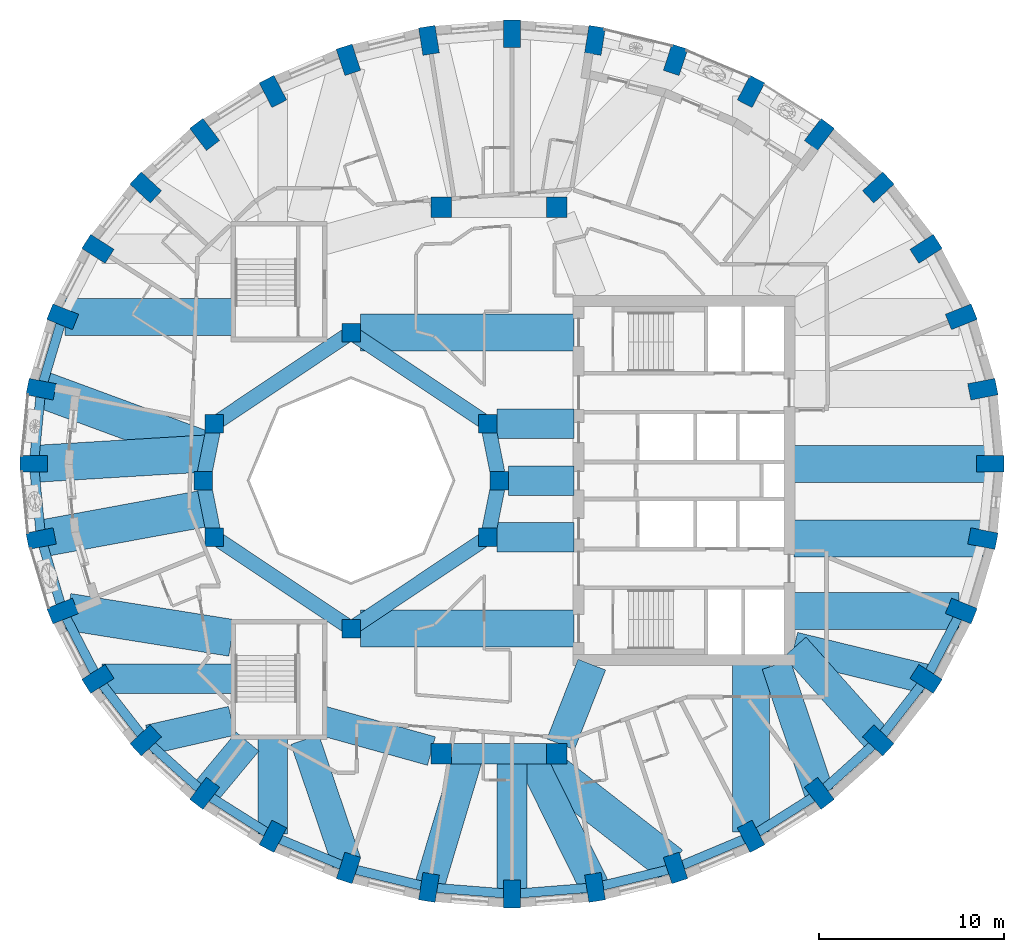
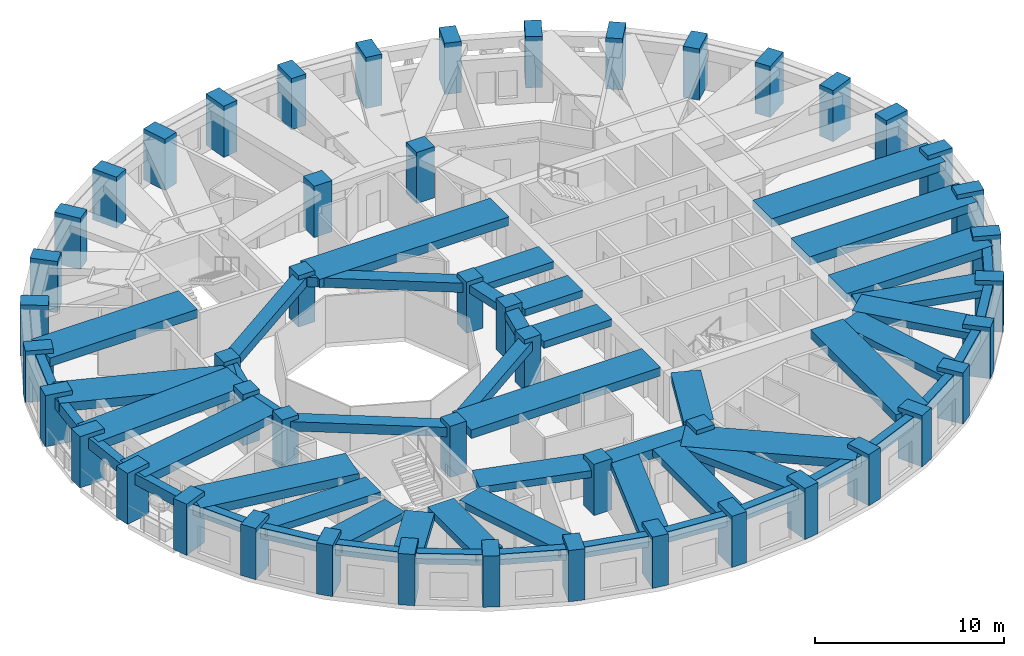
# One storey, part 1 of 12: 55 beams, 48 columns.
"""IFC4 building model written with IfcOpenShell, lengths in metres."""

from ifc_helpers import new_model, si_unit, direction, frame, origin, origin_2d, place, context, subcontext, project, spatial, rectangle, extrude, material, material_profile, profile_set, type_object, element, save


model = new_model("IFC4")

# Units and contexts
model_context = context("Model", 3, precision=1e-05, world=origin(), true_north=direction((0.0, 1.0)))
body_context = subcontext(model_context, "Body", "Model", "MODEL_VIEW")
ifc_project = project(units=[si_unit("LENGTHUNIT", "METRE"), si_unit("AREAUNIT", "SQUARE_METRE"), si_unit("VOLUMEUNIT", "CUBIC_METRE"), si_unit("PLANEANGLEUNIT", "RADIAN"), si_unit("MASSUNIT", "GRAM", prefix="KILO")], contexts=[model_context])

# Site, building, storey
site_placement = place(None, origin())
site = spatial("IfcSite", under=ifc_project, at=site_placement, CompositionType="ELEMENT")
building_placement = place(site_placement, origin())
building = spatial("IfcBuilding", under=site, at=building_placement, Name="Taillehof Tower", CompositionType="ELEMENT")
storey_placement = place(building_placement, frame((0.0, 0.0, 192.5)))
storey = spatial("IfcBuildingStorey", under=building, at=storey_placement, Name="L54", CompositionType="ELEMENT", Elevation=192.5)

# Columns
ifc_material_1 = material(Name="Concrete C50/60", Category="concrete")
ifc_material_profile_1 = material_profile(ifc_material_1, rectangle(XDim=1.0, YDim=1.0, at=origin_2d()), Name="RC 1000x1000")
ifc_profile_set_1 = profile_set([ifc_material_profile_1], Name="Concrete C50/60")
column_type_1 = type_object("IfcColumnType", Name="Atrium ring column C50/60 1000x1000", PredefinedType="COLUMN", material=ifc_profile_set_1)
for number, where, z_axis, x_axis, name in (
    (1, (0.0, 0.0, 0.0), (0.0, 0.0, 1.0), (1.0, 0.0, 0.0), "Column AC01"),
    (2, (-0.60888671875, 3.0615234375, 0.0), (0.0, 0.0, 1.0), (1.0, 0.0, 0.0), "Column AC02"),
    (3, (-8.0, 8.0, 0.0), (0.0, 0.0, 1.0), (1.0, 0.0, 0.0), "Column AC05"),
    (4, (-15.39111328125, 3.0615234375, 0.0), (0.0, 0.0, 1.0), (1.0, 0.0, 0.0), "Column AC08"),
    (5, (-16.0, 0.0, 0.0), (0.0, 0.0, 1.0), (1.0, 0.0, 0.0), "Column AC09"),
    (6, (-15.39111328125, -3.0615234375, 0.0), (0.0, 0.0, 1.0), (1.0, 0.0, 0.0), "Column AC10"),
    (7, (-8.0, -8.0, 0.0), (0.0, 0.0, 1.0), (1.0, 0.0, 0.0), "Column AC13"),
    (8, (-0.60888671875, -3.0615234375, 0.0), (0.0, 0.0, 1.0), (1.0, 0.0, 0.0), "Column AC16"),
):
    element("IfcColumn", number, at=place(storey_placement, frame(where, z_axis=z_axis, x_axis=x_axis)), inside=storey, type_object=column_type_1, Name=name, PredefinedType="COLUMN", context=body_context, shape_type="SweptSolid", body=[
        extrude(rectangle(XDim=1.0, YDim=1.0, at=origin_2d()), origin(), (0.0, 0.0, 1.0), 3.300048828125),
    ])
ifc_material_2 = material(Name="Concrete C50/60", Category="concrete")
ifc_material_profile_2 = material_profile(ifc_material_2, rectangle(XDim=1.10009765625, YDim=1.10009765625, at=origin_2d()), Name="RC 1100x1100")
ifc_profile_set_2 = profile_set([ifc_material_profile_2], Name="Concrete C50/60")
column_type_2 = type_object("IfcColumnType", Name="Mid-ring column C50/60 1100x1100", PredefinedType="COLUMN", material=ifc_profile_set_2)
for number, where, z_axis, x_axis, name in (
    (9, (3.125732421875, 14.772216796875, 0.0), (0.0, 0.0, 1.0), (1.0, 0.0, 0.0), "Column MC05"),
    (10, (-3.125732421875, 14.772216796875, 0.0), (0.0, 0.0, 1.0), (1.0, 0.0, 0.0), "Column MC06"),
    (11, (-3.125732421875, -14.772216796875, 0.0), (0.0, 0.0, 1.0), (1.0, 0.0, 0.0), "Column MC14"),
    (12, (3.125732421875, -14.772216796875, 0.0), (0.0, 0.0, 1.0), (1.0, 0.0, 0.0), "Column MC15"),
):
    element("IfcColumn", number, at=place(storey_placement, frame(where, z_axis=z_axis, x_axis=x_axis)), inside=storey, type_object=column_type_2, Name=name, PredefinedType="COLUMN", context=body_context, shape_type="SweptSolid", body=[
        extrude(rectangle(XDim=1.10009765625, YDim=1.10009765625, at=origin_2d()), origin(), (0.0, 0.0, 1.0), 3.300048828125),
    ])
ifc_material_3 = material(Name="Concrete C60/75", Category="concrete")
ifc_material_profile_3 = material_profile(ifc_material_3, rectangle(XDim=1.5, YDim=0.89990234375, at=origin_2d()), Name="RC 1500x900")
ifc_profile_set_3 = profile_set([ifc_material_profile_3], Name="Concrete C60/75")
column_type_3 = type_object("IfcColumnType", Name="Ring column C60/75 1500x900", PredefinedType="COLUMN", material=ifc_profile_set_3)
for number, where, z_axis, x_axis, name in (
    (13, (26.550048828125, 0.89990234375, 0.0), (0.0, 0.0, 1.0), (1.0, 0.0, 0.0), "Ring column RC01"),
    (14, (26.1572265625, 4.937255859375, 0.0), (0.0, 0.0, 1.0), (0.981433894538, 0.191800705555, 0.0), "Ring column RC02"),
    (15, (24.990966796875, 8.85205078125, 0.0), (0.0, 0.0, 1.0), (0.927385290523, 0.374107635477, 0.0), "Ring column RC03"),
    (16, (23.086669921875, 12.52490234375, 0.0), (0.0, 0.0, 1.0), (0.84231094199, 0.538991908107, 0.0), "Ring column RC04"),
    (17, (20.502197265625, 15.8447265625, 0.0), (0.0, 0.0, 1.0), (0.732270888356, 0.681013469813, 0.0), "Ring column RC05"),
    (18, (17.316162109375, 18.71044921875, 0.0), (0.0, 0.0, 1.0), (0.60360770772, 0.797281465469, 0.0), "Ring column RC06"),
    (19, (13.625, 21.03515625, 0.0), (0.0, 0.0, 1.0), (0.461993199576, 0.886883466722, 0.0), "Ring column RC07"),
    (20, (9.541259765625, 22.747802734375, 0.0), (0.0, 0.0, 1.0), (0.312001306843, 0.950081672557, 0.0), "Ring column RC08"),
    (21, (5.188720703125, 23.796875, 0.0), (0.0, 0.0, 1.0), (0.157116034607, 0.987580149491, 0.0), "Ring column RC09"),
    (22, (0.699951171875, 24.14990234375, 0.0), (0.0, 0.0, 1.0), (0.0, 1.0, 0.0), "Ring column RC10"),
    (23, (-3.788818359375, 23.796875, 0.0), (0.0, 0.0, 1.0), (-0.157116034607, 0.987580149491, 0.0), "Ring column RC11"),
    (24, (-8.14111328125, 22.747802734375, 0.0), (0.0, 0.0, 1.0), (-0.312001306843, 0.950081672557, 0.0), "Ring column RC12"),
    (25, (-12.22509765625, 21.03515625, 0.0), (0.0, 0.0, 1.0), (-0.461993199576, 0.886883466722, 0.0), "Ring column RC13"),
    (26, (-15.916015625, 18.71044921875, 0.0), (0.0, 0.0, 1.0), (-0.60360770772, 0.797281465469, 0.0), "Ring column RC14"),
    (27, (-19.102294921875, 15.8447265625, 0.0), (0.0, 0.0, 1.0), (-0.732270888356, 0.681013469813, 0.0), "Ring column RC15"),
    (28, (-21.686767578125, 12.52490234375, 0.0), (0.0, 0.0, 1.0), (-0.84231094199, 0.538991908107, 0.0), "Ring column RC16"),
    (29, (-23.591064453125, 8.85205078125, 0.0), (0.0, 0.0, 1.0), (-0.927385290523, 0.374107635477, 0.0), "Ring column RC17"),
    (30, (-24.75732421875, 4.937255859375, 0.0), (0.0, 0.0, 1.0), (-0.981433894538, 0.191800705555, 0.0), "Ring column RC18"),
    (31, (-25.14990234375, 0.89990234375, 0.0), (0.0, 0.0, 1.0), (-1.0, 0.0, 0.0), "Ring column RC19"),
    (32, (-24.75732421875, -3.13720703125, 0.0), (0.0, 0.0, 1.0), (-0.981433894538, -0.191800705555, 0.0), "Ring column RC20"),
    (33, (-23.591064453125, -7.052001953125, 0.0), (0.0, 0.0, 1.0), (-0.927385290523, -0.374107635477, 0.0), "Ring column RC21"),
    (34, (-21.686767578125, -10.72509765625, 0.0), (0.0, 0.0, 1.0), (-0.84231094199, -0.538991908107, 0.0), "Ring column RC22"),
    (35, (-19.102294921875, -14.044921875, 0.0), (0.0, 0.0, 1.0), (-0.732270888356, -0.681013469813, 0.0), "Ring column RC23"),
    (36, (-15.916015625, -16.91064453125, 0.0), (0.0, 0.0, 1.0), (-0.60360770772, -0.797281465469, 0.0), "Ring column RC24"),
    (37, (-12.22509765625, -19.235107421875, 0.0), (0.0, 0.0, 1.0), (-0.461993199576, -0.886883466722, 0.0), "Ring column RC25"),
    (38, (-8.14111328125, -20.94775390625, 0.0), (0.0, 0.0, 1.0), (-0.312001306843, -0.950081672557, 0.0), "Ring column RC26"),
    (39, (-3.788818359375, -21.996826171875, 0.0), (0.0, 0.0, 1.0), (-0.157116034607, -0.987580149491, 0.0), "Ring column RC27"),
    (40, (0.699951171875, -22.35009765625, 0.0), (0.0, 0.0, 1.0), (0.0, -1.0, 0.0), "Ring column RC28"),
    (41, (5.188720703125, -21.996826171875, 0.0), (0.0, 0.0, 1.0), (0.157116034607, -0.987580149491, 0.0), "Ring column RC29"),
    (42, (9.541259765625, -20.94775390625, 0.0), (0.0, 0.0, 1.0), (0.312001306843, -0.950081672557, 0.0), "Ring column RC30"),
    (43, (13.625, -19.235107421875, 0.0), (0.0, 0.0, 1.0), (0.461993199576, -0.886883466722, 0.0), "Ring column RC31"),
    (44, (17.316162109375, -16.91064453125, 0.0), (0.0, 0.0, 1.0), (0.60360770772, -0.797281465469, 0.0), "Ring column RC32"),
    (45, (20.502197265625, -14.044921875, 0.0), (0.0, 0.0, 1.0), (0.732270888356, -0.681013469813, 0.0), "Ring column RC33"),
    (46, (23.086669921875, -10.72509765625, 0.0), (0.0, 0.0, 1.0), (0.84231094199, -0.538991908107, 0.0), "Ring column RC34"),
    (47, (24.990966796875, -7.052001953125, 0.0), (0.0, 0.0, 1.0), (0.927385290523, -0.374107635477, 0.0), "Ring column RC35"),
    (48, (26.1572265625, -3.13720703125, 0.0), (0.0, 0.0, 1.0), (0.981433894538, -0.191800705555, 0.0), "Ring column RC36"),
):
    element("IfcColumn", number, at=place(storey_placement, frame(where, z_axis=z_axis, x_axis=x_axis)), inside=storey, type_object=column_type_3, Name=name, PredefinedType="COLUMN", context=body_context, shape_type="SweptSolid", body=[
        extrude(rectangle(XDim=1.5, YDim=0.89990234375, at=origin_2d()), origin(), (0.0, 0.0, 1.0), 3.300048828125),
    ])

# Beams
ifc_material_4 = material(Name="Concrete C50/60", Category="concrete")
ifc_material_profile_4 = material_profile(ifc_material_4, rectangle(XDim=0.800048828125, YDim=0.5, at=origin_2d()), Name="RC 800x500")
ifc_profile_set_4 = profile_set([ifc_material_profile_4], Name="Concrete C50/60")
beam_type_1 = type_object("IfcBeamType", Name="Atrium ring beam C50/60 800x500", PredefinedType="BEAM", material=ifc_profile_set_4)
for number, where, z_axis, x_axis, name in (
    (49, (0.0, 0.0, 2.77001953125), (-0.195063155143, 0.980790683839, 0.0), (-0.980790683839, -0.195063155143, 0.0), "Atrium ring beam AB01"),
    (50, (-15.39111328125, 3.0615234375, 2.77001953125), (-0.195063155143, -0.980790683839, 0.0), (0.980790683839, -0.195063155143, 0.0), "Atrium ring beam AB04"),
    (51, (-16.0, 0.0, 2.77001953125), (0.195063155143, -0.980790683839, 0.0), (0.980790683839, 0.195063155143, 0.0), "Atrium ring beam AB05"),
    (52, (-0.60888671875, -3.0615234375, 2.77001953125), (0.195063155143, 0.980790683839, 0.0), (-0.980790683839, 0.195063155143, 0.0), "Atrium ring beam AB08"),
):
    element("IfcBeam", number, at=place(storey_placement, frame(where, z_axis=z_axis, x_axis=x_axis)), inside=storey, type_object=beam_type_1, Name=name, PredefinedType="BEAM", context=body_context, shape_type="SweptSolid", body=[
        extrude(rectangle(XDim=0.800048828125, YDim=0.5, at=origin_2d()), origin(), (0.0, 0.0, 1.0), 3.12158203125),
    ])
ifc_material_5 = material(Name="Concrete C50/60", Category="concrete")
ifc_material_profile_5 = material_profile(ifc_material_5, rectangle(XDim=0.800048828125, YDim=0.60009765625, at=origin_2d()), Name="RC 800x600")
ifc_profile_set_5 = profile_set([ifc_material_profile_5], Name="Concrete C50/60")
beam_type_2 = type_object("IfcBeamType", Name="Atrium ring beam C50/60 800x600", PredefinedType="BEAM", material=ifc_profile_set_5)
for number, where, z_axis, x_axis, name in (
    (53, (-0.60888671875, 3.0615234375, 2.719970703125), (-0.831475195687, 0.555561876804, 0.0), (-0.555561876804, -0.831475195687, 0.0), "Atrium ring beam AB02"),
    (54, (-8.0, 8.0, 2.719970703125), (-0.831475195687, -0.555561876804, 0.0), (0.555561876804, -0.831475195687, 0.0), "Atrium ring beam AB03"),
    (55, (-15.39111328125, -3.0615234375, 2.719970703125), (0.831475195687, -0.555561876804, 0.0), (0.555561876804, 0.831475195687, 0.0), "Atrium ring beam AB06"),
    (56, (-8.0, -8.0, 2.719970703125), (0.831475195687, 0.555561876804, 0.0), (-0.555561876804, 0.831475195687, 0.0), "Atrium ring beam AB07"),
):
    element("IfcBeam", number, at=place(storey_placement, frame(where, z_axis=z_axis, x_axis=x_axis)), inside=storey, type_object=beam_type_2, Name=name, PredefinedType="BEAM", context=body_context, shape_type="SweptSolid", body=[
        extrude(rectangle(XDim=0.800048828125, YDim=0.60009765625, at=origin_2d()), origin(), (0.0, 0.0, 1.0), 8.88916015625),
    ])
ifc_material_6 = material(Name="Concrete C50/60", Category="concrete")
ifc_material_profile_6 = material_profile(ifc_material_6, rectangle(XDim=1.10009765625, YDim=0.60009765625, at=origin_2d()), Name="RC 1100x600")
ifc_profile_set_6 = profile_set([ifc_material_profile_6], Name="Concrete C50/60")
beam_type_3 = type_object("IfcBeamType", Name="Mid-ring beam C50/60 1100x600", PredefinedType="BEAM", material=ifc_profile_set_6)
beam_1_placement = place(storey_placement, frame((-3.125732421875, -14.772216796875, 2.719970703125), z_axis=(1.0, 0.0, 0.0), x_axis=(0.0, 1.0, 0.0)))
element("IfcBeam", 57, at=beam_1_placement, inside=storey, type_object=beam_type_3, Name="Mid-ring beam MB02", PredefinedType="BEAM", context=body_context, shape_type="SweptSolid", body=[
    extrude(rectangle(XDim=1.10009765625, YDim=0.60009765625, at=origin_2d()), origin(), (0.0, 0.0, 1.0), 6.25146484375),
])
ifc_material_7 = material(Name="Concrete C50/60", Category="concrete")
ifc_material_profile_7 = material_profile(ifc_material_7, rectangle(XDim=1.60009765625, YDim=0.449951171875, at=origin_2d()), Name="RC 1600x450")
ifc_profile_set_7 = profile_set([ifc_material_profile_7], Name="Concrete C50/60")
beam_type_4 = type_object("IfcBeamType", Name="Radial band beam C50/60 1600x450", PredefinedType="BEAM", material=ifc_profile_set_7)
beam_2_placement = place(storey_placement, frame((-21.47021484375, -10.72509765625, 2.794921875), z_axis=(1.0, 0.0, 0.0), x_axis=(0.0, 1.0, 0.0)))
element("IfcBeam", 58, at=beam_2_placement, inside=storey, type_object=beam_type_4, Name="Radial band beam RB22", PredefinedType="BEAM", context=body_context, shape_type="SweptSolid", body=[
    extrude(rectangle(XDim=1.60009765625, YDim=0.449951171875, at=origin_2d()), origin(), (0.0, 0.0, 1.0), 7.020263671875),
])
beam_3_placement = place(storey_placement, frame((-18.929931640625, -14.005615234375, 2.794921875), z_axis=(0.975193914537, 0.221352273651, 0.0), x_axis=(-0.221352273651, 0.975193914537, 0.0)))
element("IfcBeam", 59, at=beam_3_placement, inside=storey, type_object=beam_type_4, Name="Radial band beam RB23", PredefinedType="BEAM", context=body_context, shape_type="SweptSolid", body=[
    extrude(rectangle(XDim=1.60009765625, YDim=0.449951171875, at=origin_2d()), origin(), (0.0, 0.0, 1.0), 4.5927734375),
])
beam_4_placement = place(storey_placement, frame((-15.916015625, -16.91064453125, 2.794921875), z_axis=(0.638722345868, 0.769437304066, 0.0), x_axis=(-0.769437304066, 0.638722345868, 0.0)))
element("IfcBeam", 60, at=beam_4_placement, inside=storey, type_object=beam_type_4, Name="Radial band beam RB24", PredefinedType="BEAM", context=body_context, shape_type="SweptSolid", body=[
    extrude(rectangle(XDim=1.60009765625, YDim=0.449951171875, at=origin_2d()), origin(), (0.0, 0.0, 1.0), 3.6328125),
])
beam_5_placement = place(storey_placement, frame((-12.22509765625, -19.101318359375, 2.794921875), z_axis=(0.0, 1.0, 0.0), x_axis=(-1.0, 0.0, 0.0)))
element("IfcBeam", 61, at=beam_5_placement, inside=storey, type_object=beam_type_4, Name="Radial band beam RB25", PredefinedType="BEAM", context=body_context, shape_type="SweptSolid", body=[
    extrude(rectangle(XDim=1.60009765625, YDim=0.449951171875, at=origin_2d()), origin(), (0.0, 0.0, 1.0), 5.1513671875),
])
beam_6_placement = place(storey_placement, frame((-8.233642578125, -20.675537109375, 2.794921875), z_axis=(-0.321475101084, 0.94691803203, 0.0), x_axis=(-0.94691803203, -0.321475101084, 0.0)))
element("IfcBeam", 62, at=beam_6_placement, inside=storey, type_object=beam_type_4, Name="Radial band beam RB26", PredefinedType="BEAM", context=body_context, shape_type="SweptSolid", body=[
    extrude(rectangle(XDim=1.60009765625, YDim=0.449951171875, at=origin_2d()), origin(), (0.0, 0.0, 1.0), 7.042236328125),
])
beam_7_placement = place(storey_placement, frame((-3.788818359375, -21.996826171875, 2.794921875), z_axis=(0.286825122153, 0.957982958774, 0.0), x_axis=(-0.957982958774, 0.286825122153, 0.0)))
element("IfcBeam", 63, at=beam_7_placement, inside=storey, type_object=beam_type_4, Name="Radial band beam RB27", PredefinedType="BEAM", context=body_context, shape_type="SweptSolid", body=[
    extrude(rectangle(XDim=1.60009765625, YDim=0.449951171875, at=origin_2d()), origin(), (0.0, 0.0, 1.0), 7.54150390625),
])
beam_8_placement = place(storey_placement, frame((0.699951171875, -22.35009765625, 2.794921875), z_axis=(0.0, 1.0, 0.0), x_axis=(-1.0, 0.0, 0.0)))
element("IfcBeam", 64, at=beam_8_placement, inside=storey, type_object=beam_type_4, Name="Radial band beam RB28", PredefinedType="BEAM", context=body_context, shape_type="SweptSolid", body=[
    extrude(rectangle(XDim=1.60009765625, YDim=0.449951171875, at=origin_2d()), origin(), (0.0, 0.0, 1.0), 7.577880859375),
])
beam_9_placement = place(storey_placement, frame((5.188720703125, -21.996826171875, 2.794921875), z_axis=(-0.442309181818, 0.896862635903, 0.0), x_axis=(-0.896862635903, -0.442309181818, 0.0)))
element("IfcBeam", 65, at=beam_9_placement, inside=storey, type_object=beam_type_4, Name="Radial band beam RB29", PredefinedType="BEAM", context=body_context, shape_type="SweptSolid", body=[
    extrude(rectangle(XDim=1.60009765625, YDim=0.449951171875, at=origin_2d()), origin(), (0.0, 0.0, 1.0), 8.055419921875),
])
beam_10_placement = place(storey_placement, frame((17.314697265625, -16.906494140625, 2.794921875), z_axis=(-0.317775276173, 0.948166058164, 0.0), x_axis=(-0.948166058164, -0.317775276173, 0.0)))
element("IfcBeam", 66, at=beam_10_placement, inside=storey, type_object=beam_type_4, Name="Radial band beam RB32", PredefinedType="BEAM", context=body_context, shape_type="SweptSolid", body=[
    extrude(rectangle(XDim=1.60009765625, YDim=0.449951171875, at=origin_2d()), origin(), (0.0, 0.0, 1.0), 7.333984375),
])
beam_11_placement = place(storey_placement, frame((20.502197265625, -14.044921875, 2.794921875), z_axis=(-0.665845101725, 0.746090008316, 0.0), x_axis=(-0.746090008316, -0.665845101725, 0.0)))
element("IfcBeam", 67, at=beam_11_placement, inside=storey, type_object=beam_type_4, Name="Radial band beam RB33", PredefinedType="BEAM", context=body_context, shape_type="SweptSolid", body=[
    extrude(rectangle(XDim=1.60009765625, YDim=0.449951171875, at=origin_2d()), origin(), (0.0, 0.0, 1.0), 6.766357421875),
])
beam_12_placement = place(storey_placement, frame((23.07568359375, -10.722412109375, 2.794921875), z_axis=(-0.971629977108, 0.236506210459, 0.0), x_axis=(-0.236506210459, -0.971629977108, 0.0)))
element("IfcBeam", 68, at=beam_12_placement, inside=storey, type_object=beam_type_4, Name="Radial band beam RB34", PredefinedType="BEAM", context=body_context, shape_type="SweptSolid", body=[
    extrude(rectangle(XDim=1.60009765625, YDim=0.449951171875, at=origin_2d()), origin(), (0.0, 0.0, 1.0), 7.332275390625),
])
beam_13_placement = place(storey_placement, frame((0.5, 0.0, 2.794921875), z_axis=(1.0, 0.0, 0.0), x_axis=(0.0, 1.0, 0.0)))
element("IfcBeam", 69, at=beam_13_placement, inside=storey, type_object=beam_type_4, Name="Inner band beam IB101", PredefinedType="BEAM", context=body_context, shape_type="SweptSolid", body=[
    extrude(rectangle(XDim=1.60009765625, YDim=0.449951171875, at=origin_2d()), origin(), (0.0, 0.0, 1.0), 3.550048828125),
])
for number, where, z_axis, x_axis, name in (
    (70, (-0.10888671875, 3.0615234375, 2.794921875), (1.0, 0.0, 0.0), (0.0, 1.0, 0.0), "Inner band beam IB102"),
    (71, (-0.10888671875, -3.0615234375, 2.794921875), (1.0, 0.0, 0.0), (0.0, 1.0, 0.0), "Inner band beam IB116"),
):
    element("IfcBeam", number, at=place(storey_placement, frame(where, z_axis=z_axis, x_axis=x_axis)), inside=storey, type_object=beam_type_4, Name=name, PredefinedType="BEAM", context=body_context, shape_type="SweptSolid", body=[
        extrude(rectangle(XDim=1.60009765625, YDim=0.449951171875, at=origin_2d()), origin(), (0.0, 0.0, 1.0), 4.158935546875),
    ])
beam_14_placement = place(storey_placement, frame((-3.655517578125, -14.624755859375, 2.794921875), z_axis=(-0.963459369536, 0.267854518821, 0.0), x_axis=(-0.267854518821, -0.963459369536, 0.0)))
element("IfcBeam", 72, at=beam_14_placement, inside=storey, type_object=beam_type_4, Name="Inner band beam IB214", PredefinedType="BEAM", context=body_context, shape_type="SweptSolid", body=[
    extrude(rectangle(XDim=1.60009765625, YDim=0.449951171875, at=origin_2d()), origin(), (0.0, 0.0, 1.0), 6.096923828125),
])
beam_15_placement = place(storey_placement, frame((3.32666015625, -14.26025390625, 2.794921875), z_axis=(0.365588707223, 0.930776502255, 0.0), x_axis=(-0.930776502255, 0.365588707223, 0.0)))
element("IfcBeam", 73, at=beam_15_placement, inside=storey, type_object=beam_type_4, Name="Inner band beam IB215", PredefinedType="BEAM", context=body_context, shape_type="SweptSolid", body=[
    extrude(rectangle(XDim=1.60009765625, YDim=0.449951171875, at=origin_2d()), origin(), (0.0, 0.0, 1.0), 4.627197265625),
])
ifc_material_8 = material(Name="Concrete C50/60", Category="concrete")
ifc_material_profile_8 = material_profile(ifc_material_8, rectangle(XDim=2.0, YDim=0.550048828125, at=origin_2d()), Name="RC 2000x550")
ifc_profile_set_8 = profile_set([ifc_material_profile_8], Name="Concrete C50/60")
beam_type_5 = type_object("IfcBeamType", Name="Radial band beam C50/60 2000x550", PredefinedType="BEAM", material=ifc_profile_set_8)
beam_16_placement = place(storey_placement, frame((26.550048828125, 0.89990234375, 2.7451171875), z_axis=(-1.0, 0.0, 0.0), x_axis=(0.0, -1.0, 0.0)))
element("IfcBeam", 74, at=beam_16_placement, inside=storey, type_object=beam_type_5, Name="Radial band beam RB01", PredefinedType="BEAM", context=body_context, shape_type="SweptSolid", body=[
    extrude(rectangle(XDim=2.0, YDim=0.550048828125, at=origin_2d()), origin(), (0.0, 0.0, 1.0), 10.60009765625),
])
beam_17_placement = place(storey_placement, frame((-23.4560546875, 8.85205078125, 2.7451171875), z_axis=(1.0, 0.0, 0.0), x_axis=(0.0, 1.0, 0.0)))
element("IfcBeam", 75, at=beam_17_placement, inside=storey, type_object=beam_type_5, Name="Radial band beam RB17", PredefinedType="BEAM", context=body_context, shape_type="SweptSolid", body=[
    extrude(rectangle(XDim=2.0, YDim=0.550048828125, at=origin_2d()), origin(), (0.0, 0.0, 1.0), 9.006103515625),
])
beam_18_placement = place(storey_placement, frame((-24.75732421875, 4.937255859375, 2.7451171875), z_axis=(0.938209870924, -0.346066811615, 0.0), x_axis=(0.346066811615, 0.938209870924, 0.0)))
element("IfcBeam", 76, at=beam_18_placement, inside=storey, type_object=beam_type_5, Name="Radial band beam RB18", PredefinedType="BEAM", context=body_context, shape_type="SweptSolid", body=[
    extrude(rectangle(XDim=2.0, YDim=0.550048828125, at=origin_2d()), origin(), (0.0, 0.0, 1.0), 9.67138671875),
])
beam_19_placement = place(storey_placement, frame((-25.14990234375, 0.89990234375, 2.7451171875), z_axis=(0.998174819199, 0.060390647592, 0.0), x_axis=(-0.060390647592, 0.998174819199, 0.0)))
element("IfcBeam", 77, at=beam_19_placement, inside=storey, type_object=beam_type_5, Name="Radial band beam RB19", PredefinedType="BEAM", context=body_context, shape_type="SweptSolid", body=[
    extrude(rectangle(XDim=2.0, YDim=0.550048828125, at=origin_2d()), origin(), (0.0, 0.0, 1.0), 9.4599609375),
])
beam_20_placement = place(storey_placement, frame((-24.75732421875, -3.13720703125, 2.7451171875), z_axis=(0.983474452744, 0.181046957445, 0.0), x_axis=(-0.181046957445, 0.983474452744, 0.0)))
element("IfcBeam", 78, at=beam_20_placement, inside=storey, type_object=beam_type_5, Name="Radial band beam RB20", PredefinedType="BEAM", context=body_context, shape_type="SweptSolid", body=[
    extrude(rectangle(XDim=2.0, YDim=0.550048828125, at=origin_2d()), origin(), (0.0, 0.0, 1.0), 9.2021484375),
])
beam_21_placement = place(storey_placement, frame((-23.3076171875, -7.09716796875, 2.7451171875), z_axis=(0.987552836313, -0.157287620272, 0.0), x_axis=(0.157287620272, 0.987552836313, 0.0)))
element("IfcBeam", 79, at=beam_21_placement, inside=storey, type_object=beam_type_5, Name="Radial band beam RB21", PredefinedType="BEAM", context=body_context, shape_type="SweptSolid", body=[
    extrude(rectangle(XDim=2.0, YDim=0.550048828125, at=origin_2d()), origin(), (0.0, 0.0, 1.0), 8.968505859375),
])
beam_22_placement = place(storey_placement, frame((9.3076171875, -20.765625, 2.7451171875), z_axis=(-0.788425359087, 0.615130435882, 0.0), x_axis=(-0.615130435882, -0.788425359087, 0.0)))
element("IfcBeam", 80, at=beam_22_placement, inside=storey, type_object=beam_type_5, Name="Radial band beam RB30", PredefinedType="BEAM", context=body_context, shape_type="SweptSolid", body=[
    extrude(rectangle(XDim=2.0, YDim=0.550048828125, at=origin_2d()), origin(), (0.0, 0.0, 1.0), 9.35595703125),
])
beam_23_placement = place(storey_placement, frame((13.625, -18.99755859375, 2.7451171875), z_axis=(0.0, 1.0, 0.0), x_axis=(-1.0, 0.0, 0.0)))
element("IfcBeam", 81, at=beam_23_placement, inside=storey, type_object=beam_type_5, Name="Radial band beam RB31", PredefinedType="BEAM", context=body_context, shape_type="SweptSolid", body=[
    extrude(rectangle(XDim=2.0, YDim=0.550048828125, at=origin_2d()), origin(), (0.0, 0.0, 1.0), 9.047607421875),
])
beam_24_placement = place(storey_placement, frame((24.856201171875, -7.052001953125, 2.7451171875), z_axis=(-1.0, 0.0, 0.0), x_axis=(0.0, -1.0, 0.0)))
element("IfcBeam", 82, at=beam_24_placement, inside=storey, type_object=beam_type_5, Name="Radial band beam RB35", PredefinedType="BEAM", context=body_context, shape_type="SweptSolid", body=[
    extrude(rectangle(XDim=2.0, YDim=0.550048828125, at=origin_2d()), origin(), (0.0, 0.0, 1.0), 8.90625),
])
beam_25_placement = place(storey_placement, frame((26.1572265625, -3.13720703125, 2.7451171875), z_axis=(-1.0, 0.0, 0.0), x_axis=(0.0, -1.0, 0.0)))
element("IfcBeam", 83, at=beam_25_placement, inside=storey, type_object=beam_type_5, Name="Radial band beam RB36", PredefinedType="BEAM", context=body_context, shape_type="SweptSolid", body=[
    extrude(rectangle(XDim=2.0, YDim=0.550048828125, at=origin_2d()), origin(), (0.0, 0.0, 1.0), 10.207275390625),
])
for number, where, z_axis, x_axis, name in (
    (84, (-7.5, 8.0, 2.7451171875), (1.0, 0.0, 0.0), (0.0, 1.0, 0.0), "Inner band beam IB105"),
    (85, (-7.5, -8.0, 2.7451171875), (1.0, 0.0, 0.0), (0.0, 1.0, 0.0), "Inner band beam IB113"),
):
    element("IfcBeam", number, at=place(storey_placement, frame(where, z_axis=z_axis, x_axis=x_axis)), inside=storey, type_object=beam_type_5, Name=name, PredefinedType="BEAM", context=body_context, shape_type="SweptSolid", body=[
        extrude(rectangle(XDim=2.0, YDim=0.550048828125, at=origin_2d()), origin(), (0.0, 0.0, 1.0), 11.550048828125),
    ])
ifc_material_9 = material(Name="Concrete C50/60", Category="concrete")
ifc_material_profile_9 = material_profile(ifc_material_9, rectangle(XDim=0.5, YDim=0.699951171875, at=origin_2d()), Name="RC 500x700")
ifc_profile_set_9 = profile_set([ifc_material_profile_9], Name="Concrete C50/60")
beam_type_6 = type_object("IfcBeamType", Name="Spandrel beam C50/60 500x700", PredefinedType="SPANDREL", material=ifc_profile_set_9)
beam_26_placement = place(storey_placement, frame((-23.591064453125, 8.85205078125, 2.669921875), z_axis=(-0.285510458946, -0.9583755933, 0.0), x_axis=(0.9583755933, -0.285510458946, 0.0)))
element("IfcBeam", 86, at=beam_26_placement, inside=storey, type_object=beam_type_6, Name="Spandrel beam SB17", PredefinedType="SPANDREL", context=body_context, shape_type="SweptSolid", body=[
    extrude(rectangle(XDim=0.5, YDim=0.699951171875, at=origin_2d()), origin(), (0.0, 0.0, 1.0), 4.084716796875),
])
beam_27_placement = place(storey_placement, frame((-24.75732421875, 4.937255859375, 2.669921875), z_axis=(-0.096780051712, -0.995305793006, 0.0), x_axis=(0.995305793006, -0.096780051712, 0.0)))
element("IfcBeam", 87, at=beam_27_placement, inside=storey, type_object=beam_type_6, Name="Spandrel beam SB18", PredefinedType="SPANDREL", context=body_context, shape_type="SweptSolid", body=[
    extrude(rectangle(XDim=0.5, YDim=0.699951171875, at=origin_2d()), origin(), (0.0, 0.0, 1.0), 4.056396484375),
])
beam_28_placement = place(storey_placement, frame((-25.14990234375, 0.89990234375, 2.669921875), z_axis=(0.096785849576, -0.995305229225, 0.0), x_axis=(0.995305229225, 0.096785849576, 0.0)))
element("IfcBeam", 88, at=beam_28_placement, inside=storey, type_object=beam_type_6, Name="Spandrel beam SB19", PredefinedType="SPANDREL", context=body_context, shape_type="SweptSolid", body=[
    extrude(rectangle(XDim=0.5, YDim=0.699951171875, at=origin_2d()), origin(), (0.0, 0.0, 1.0), 4.05615234375),
])
beam_29_placement = place(storey_placement, frame((-24.75732421875, -3.13720703125, 2.669921875), z_axis=(0.285510458946, -0.9583755933, 0.0), x_axis=(0.9583755933, 0.285510458946, 0.0)))
element("IfcBeam", 89, at=beam_29_placement, inside=storey, type_object=beam_type_6, Name="Spandrel beam SB20", PredefinedType="SPANDREL", context=body_context, shape_type="SweptSolid", body=[
    extrude(rectangle(XDim=0.5, YDim=0.699951171875, at=origin_2d()), origin(), (0.0, 0.0, 1.0), 4.084716796875),
])
beam_30_placement = place(storey_placement, frame((-23.591064453125, -7.052001953125, 2.669921875), z_axis=(0.460265491458, -0.887781322947, 0.0), x_axis=(0.887781322947, 0.460265491458, 0.0)))
element("IfcBeam", 90, at=beam_30_placement, inside=storey, type_object=beam_type_6, Name="Spandrel beam SB21", PredefinedType="SPANDREL", context=body_context, shape_type="SweptSolid", body=[
    extrude(rectangle(XDim=0.5, YDim=0.699951171875, at=origin_2d()), origin(), (0.0, 0.0, 1.0), 4.137451171875),
])
beam_31_placement = place(storey_placement, frame((-21.686767578125, -10.72509765625, 2.669921875), z_axis=(0.614294081938, -0.789077170432, 0.0), x_axis=(0.789077170432, 0.614294081938, 0.0)))
element("IfcBeam", 91, at=beam_31_placement, inside=storey, type_object=beam_type_6, Name="Spandrel beam SB22", PredefinedType="SPANDREL", context=body_context, shape_type="SweptSolid", body=[
    extrude(rectangle(XDim=0.5, YDim=0.699951171875, at=origin_2d()), origin(), (0.0, 0.0, 1.0), 4.207275390625),
])
beam_32_placement = place(storey_placement, frame((-19.102294921875, -14.044921875, 2.669921875), z_axis=(0.743517893617, -0.668716039789, 0.0), x_axis=(0.668716039789, 0.743517893617, 0.0)))
element("IfcBeam", 92, at=beam_32_placement, inside=storey, type_object=beam_type_6, Name="Spandrel beam SB23", PredefinedType="SPANDREL", context=body_context, shape_type="SweptSolid", body=[
    extrude(rectangle(XDim=0.5, YDim=0.699951171875, at=origin_2d()), origin(), (0.0, 0.0, 1.0), 4.285400390625),
])
beam_33_placement = place(storey_placement, frame((-15.916015625, -16.91064453125, 2.669921875), z_axis=(0.846175819179, -0.532903821564, 0.0), x_axis=(0.532903821564, 0.846175819179, 0.0)))
element("IfcBeam", 93, at=beam_33_placement, inside=storey, type_object=beam_type_6, Name="Spandrel beam SB24", PredefinedType="SPANDREL", context=body_context, shape_type="SweptSolid", body=[
    extrude(rectangle(XDim=0.5, YDim=0.699951171875, at=origin_2d()), origin(), (0.0, 0.0, 1.0), 4.36181640625),
])
beam_34_placement = place(storey_placement, frame((-12.22509765625, -19.235107421875, 2.669921875), z_axis=(0.922193747603, -0.386728188632, 0.0), x_axis=(0.386728188632, 0.922193747603, 0.0)))
element("IfcBeam", 94, at=beam_34_placement, inside=storey, type_object=beam_type_6, Name="Spandrel beam SB25", PredefinedType="SPANDREL", context=body_context, shape_type="SweptSolid", body=[
    extrude(rectangle(XDim=0.5, YDim=0.699951171875, at=origin_2d()), origin(), (0.0, 0.0, 1.0), 4.428466796875),
])
beam_35_placement = place(storey_placement, frame((-8.14111328125, -20.94775390625, 2.669921875), z_axis=(0.972157646478, -0.234327784087, 0.0), x_axis=(0.234327784087, 0.972157646478, 0.0)))
element("IfcBeam", 95, at=beam_35_placement, inside=storey, type_object=beam_type_6, Name="Spandrel beam SB26", PredefinedType="SPANDREL", context=body_context, shape_type="SweptSolid", body=[
    extrude(rectangle(XDim=0.5, YDim=0.699951171875, at=origin_2d()), origin(), (0.0, 0.0, 1.0), 4.47705078125),
])
for number, where, z_axis, x_axis, name in (
    (96, (-3.788818359375, -21.996826171875, 2.669921875), (0.996917374369, -0.078458579393, 0.0), (0.078458579393, 0.996917374369, 0.0), "Spandrel beam SB27"),
    (97, (0.699951171875, -22.35009765625, 2.669921875), (0.996917374369, 0.078458579393, 0.0), (-0.078458579393, 0.996917374369, 0.0), "Spandrel beam SB28"),
):
    element("IfcBeam", number, at=place(storey_placement, frame(where, z_axis=z_axis, x_axis=x_axis)), inside=storey, type_object=beam_type_6, Name=name, PredefinedType="SPANDREL", context=body_context, shape_type="SweptSolid", body=[
        extrude(rectangle(XDim=0.5, YDim=0.699951171875, at=origin_2d()), origin(), (0.0, 0.0, 1.0), 4.502685546875),
    ])
beam_36_placement = place(storey_placement, frame((5.188720703125, -21.996826171875, 2.669921875), z_axis=(0.972160640613, 0.234315361943, 0.0), x_axis=(-0.234315361943, 0.972160640613, 0.0)))
element("IfcBeam", 98, at=beam_36_placement, inside=storey, type_object=beam_type_6, Name="Spandrel beam SB29", PredefinedType="SPANDREL", context=body_context, shape_type="SweptSolid", body=[
    extrude(rectangle(XDim=0.5, YDim=0.699951171875, at=origin_2d()), origin(), (0.0, 0.0, 1.0), 4.477294921875),
])
beam_37_placement = place(storey_placement, frame((9.541259765625, -20.94775390625, 2.669921875), z_axis=(0.92218550199, 0.386747850569, 0.0), x_axis=(-0.386747850569, 0.92218550199, 0.0)))
element("IfcBeam", 99, at=beam_37_placement, inside=storey, type_object=beam_type_6, Name="Spandrel beam SB30", PredefinedType="SPANDREL", context=body_context, shape_type="SweptSolid", body=[
    extrude(rectangle(XDim=0.5, YDim=0.699951171875, at=origin_2d()), origin(), (0.0, 0.0, 1.0), 4.42822265625),
])
beam_38_placement = place(storey_placement, frame((13.625, -19.235107421875, 2.669921875), z_axis=(0.846191713174, 0.532878583314, 0.0), x_axis=(-0.532878583314, 0.846191713174, 0.0)))
element("IfcBeam", 100, at=beam_38_placement, inside=storey, type_object=beam_type_6, Name="Spandrel beam SB31", PredefinedType="SPANDREL", context=body_context, shape_type="SweptSolid", body=[
    extrude(rectangle(XDim=0.5, YDim=0.699951171875, at=origin_2d()), origin(), (0.0, 0.0, 1.0), 4.362060546875),
])
beam_39_placement = place(storey_placement, frame((17.316162109375, -16.91064453125, 2.669921875), z_axis=(0.743492416006, 0.668744366213, 0.0), x_axis=(-0.668744366213, 0.743492416006, 0.0)))
element("IfcBeam", 101, at=beam_39_placement, inside=storey, type_object=beam_type_6, Name="Spandrel beam SB32", PredefinedType="SPANDREL", context=body_context, shape_type="SweptSolid", body=[
    extrude(rectangle(XDim=0.5, YDim=0.699951171875, at=origin_2d()), origin(), (0.0, 0.0, 1.0), 4.28515625),
])
beam_40_placement = place(storey_placement, frame((20.502197265625, -14.044921875, 2.669921875), z_axis=(0.614294081938, 0.789077170432, 0.0), x_axis=(-0.789077170432, 0.614294081938, 0.0)))
element("IfcBeam", 102, at=beam_40_placement, inside=storey, type_object=beam_type_6, Name="Spandrel beam SB33", PredefinedType="SPANDREL", context=body_context, shape_type="SweptSolid", body=[
    extrude(rectangle(XDim=0.5, YDim=0.699951171875, at=origin_2d()), origin(), (0.0, 0.0, 1.0), 4.207275390625),
])
beam_41_placement = place(storey_placement, frame((23.086669921875, -10.72509765625, 2.669921875), z_axis=(0.460265491458, 0.887781322947, 0.0), x_axis=(-0.887781322947, 0.460265491458, 0.0)))
element("IfcBeam", 103, at=beam_41_placement, inside=storey, type_object=beam_type_6, Name="Spandrel beam SB34", PredefinedType="SPANDREL", context=body_context, shape_type="SweptSolid", body=[
    extrude(rectangle(XDim=0.5, YDim=0.699951171875, at=origin_2d()), origin(), (0.0, 0.0, 1.0), 4.137451171875),
])

save(model, "model.ifc")
